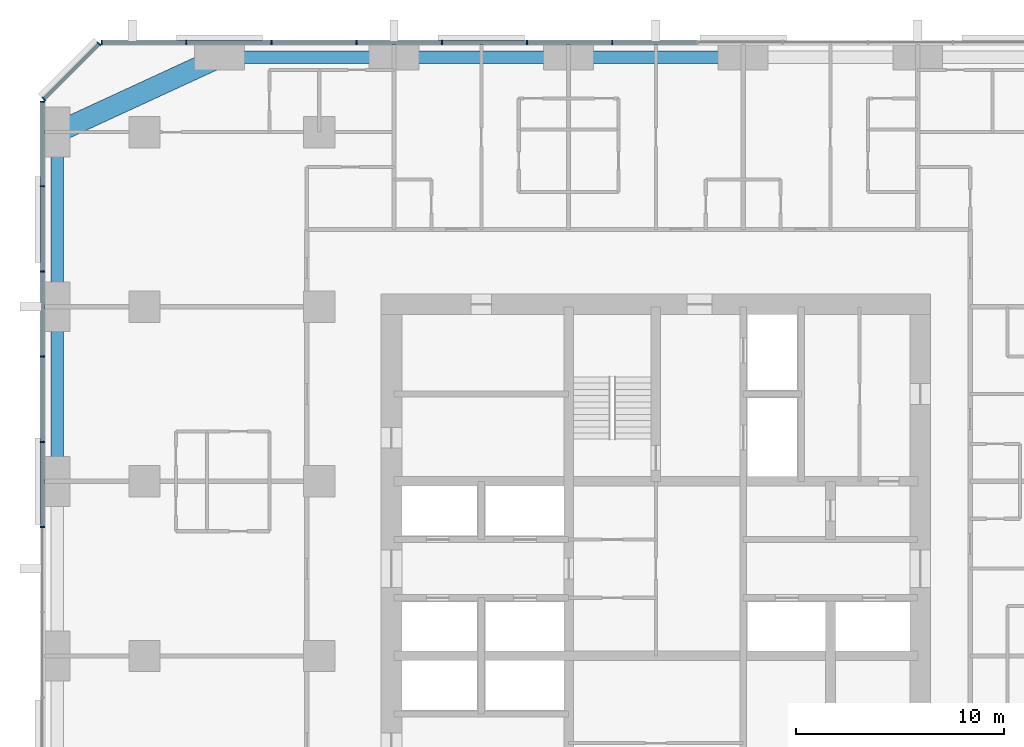
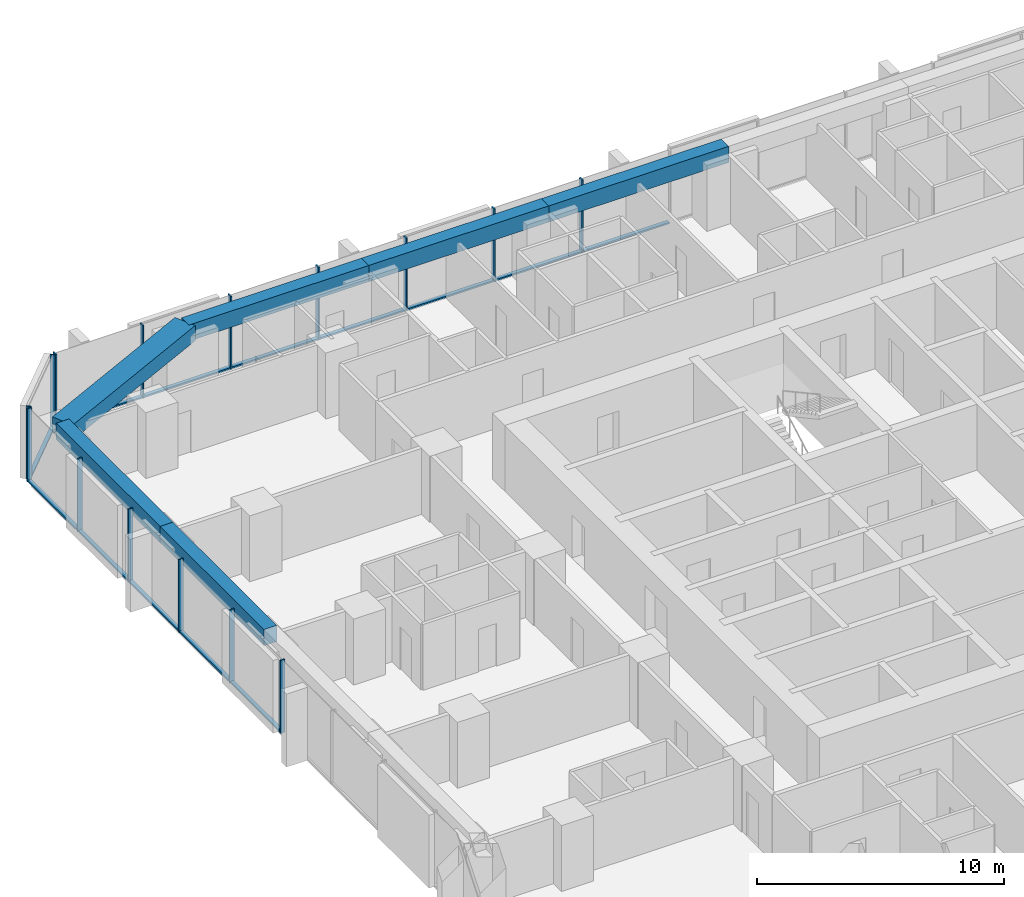
# One storey, part 5 of 14: 28 members, 6 beams, 3 elements without a shape of their own.
"""IFC4 building model written with IfcOpenShell, lengths in metres."""

from ifc_helpers import new_model, si_unit, direction, frame, origin, origin_2d, place, context, subcontext, project, spatial, rectangle, extrude, material, material_profile, profile_set, type_object, element, aggregate, save


model = new_model("IFC4")

# Units and contexts
model_context = context("Model", 3, precision=1e-05, world=origin(), true_north=direction((0.0, 1.0)))
body_context = subcontext(model_context, "Body", "Model", "MODEL_VIEW")
ifc_project = project(units=[si_unit("LENGTHUNIT", "METRE"), si_unit("AREAUNIT", "SQUARE_METRE"), si_unit("VOLUMEUNIT", "CUBIC_METRE"), si_unit("PLANEANGLEUNIT", "RADIAN"), si_unit("MASSUNIT", "GRAM", prefix="KILO")], contexts=[model_context])

# Site, building, storey
site_placement = place(None, origin())
site = spatial("IfcSite", under=ifc_project, at=site_placement, CompositionType="ELEMENT")
building_placement = place(site_placement, origin())
building = spatial("IfcBuilding", under=site, at=building_placement, Name="Dunama Terrace Hotel", CompositionType="ELEMENT")
storey_placement = place(building_placement, frame((0.0, 0.0, 129.60009765625)))
storey = spatial("IfcBuildingStorey", under=building, at=storey_placement, Name="L33", CompositionType="ELEMENT", Elevation=129.60009765625)

# Curtain wall, members
ifc_material_1 = material(Name="Aluminium curtain wall system", Category="aluminium")
curtain_wall_type = type_object("IfcCurtainWallType", Name="Unitised fritted glass wall CW-B", PredefinedType="NOTDEFINED", material=ifc_material_1)
curtain_wall_1_placement = place(storey_placement, origin())
curtain_wall_1 = element("IfcCurtainWall", 1, at=curtain_wall_1_placement, inside=storey, type_object=curtain_wall_type, Name="Unitised fritted glass wall CW-B L33", PredefinedType="NOTDEFINED")
ifc_material_2 = material(Name="Aluminium mullion", Category="aluminium")
ifc_material_profile_1 = material_profile(ifc_material_2, rectangle(XDim=0.06494140625, YDim=0.219970703125, at=origin_2d()), Name="CWB MULLION 65X220")
ifc_profile_set_1 = profile_set([ifc_material_profile_1], Name="Aluminium mullion")
member_type_1 = type_object("IfcMemberType", Name="CWB mullion 65x220", PredefinedType="MULLION", material=ifc_profile_set_1)
member_1_placement = place(storey_placement, frame((27.300048828125, 54.7099609375, 0.0), z_axis=(0.0, 0.0, 1.0), x_axis=(-1.0, 0.0, 0.0)))
member_1 = element("IfcMember", 2, at=member_1_placement, type_object=member_type_1, Name="CWB mullion", PredefinedType="MULLION", context=body_context, shape_type="SweptSolid", body=[
    extrude(rectangle(XDim=0.06494140625, YDim=0.219970703125, at=origin_2d()), origin(), (0.0, 0.0, 1.0), 3.599853515625),
])
member_2_placement = place(storey_placement, frame((23.199951171875, 54.7099609375, 0.0), z_axis=(0.0, 0.0, 1.0), x_axis=(-1.0, 0.0, 0.0)))
member_2 = element("IfcMember", 3, at=member_2_placement, type_object=member_type_1, Name="CWB mullion", PredefinedType="MULLION", context=body_context, shape_type="SweptSolid", body=[
    extrude(rectangle(XDim=0.06494140625, YDim=0.219970703125, at=origin_2d()), origin(), (0.0, 0.0, 1.0), 3.599853515625),
])
member_3_placement = place(storey_placement, frame((19.10009765625, 54.7099609375, 0.0), z_axis=(0.0, 0.0, 1.0), x_axis=(-1.0, 0.0, 0.0)))
member_3 = element("IfcMember", 4, at=member_3_placement, type_object=member_type_1, Name="CWB mullion", PredefinedType="MULLION", context=body_context, shape_type="SweptSolid", body=[
    extrude(rectangle(XDim=0.06494140625, YDim=0.219970703125, at=origin_2d()), origin(), (0.0, 0.0, 1.0), 3.599853515625),
])
member_4_placement = place(storey_placement, frame((15.0, 54.7099609375, 0.0), z_axis=(0.0, 0.0, 1.0), x_axis=(-1.0, 0.0, 0.0)))
member_4 = element("IfcMember", 5, at=member_4_placement, type_object=member_type_1, Name="CWB mullion", PredefinedType="MULLION", context=body_context, shape_type="SweptSolid", body=[
    extrude(rectangle(XDim=0.06494140625, YDim=0.219970703125, at=origin_2d()), origin(), (0.0, 0.0, 1.0), 3.599853515625),
])
member_5_placement = place(storey_placement, frame((10.89990234375, 54.7099609375, 0.0), z_axis=(0.0, 0.0, 1.0), x_axis=(-1.0, 0.0, 0.0)))
member_5 = element("IfcMember", 6, at=member_5_placement, type_object=member_type_1, Name="CWB mullion", PredefinedType="MULLION", context=body_context, shape_type="SweptSolid", body=[
    extrude(rectangle(XDim=0.06494140625, YDim=0.219970703125, at=origin_2d()), origin(), (0.0, 0.0, 1.0), 3.599853515625),
])
member_6_placement = place(storey_placement, frame((6.800048828125, 54.7099609375, 0.0), z_axis=(0.0, 0.0, 1.0), x_axis=(-1.0, 0.0, 0.0)))
member_6 = element("IfcMember", 7, at=member_6_placement, type_object=member_type_1, Name="CWB mullion", PredefinedType="MULLION", context=body_context, shape_type="SweptSolid", body=[
    extrude(rectangle(XDim=0.06494140625, YDim=0.219970703125, at=origin_2d()), origin(), (0.0, 0.0, 1.0), 3.599853515625),
])
member_7_placement = place(storey_placement, frame((2.73291015625, 54.7099609375, 0.0), z_axis=(0.0, 0.0, 1.0), x_axis=(-1.0, 0.0, 0.0)))
member_7 = element("IfcMember", 8, at=member_7_placement, type_object=member_type_1, Name="CWB mullion", PredefinedType="MULLION", context=body_context, shape_type="SweptSolid", body=[
    extrude(rectangle(XDim=0.06494140625, YDim=0.219970703125, at=origin_2d()), origin(), (0.0, 0.0, 1.0), 3.599853515625),
])

curtain_wall_2_placement = place(storey_placement, origin())
curtain_wall_2 = element("IfcCurtainWall", 9, at=curtain_wall_2_placement, inside=storey, type_object=curtain_wall_type, Name="Unitised fritted glass wall CW-B L33", PredefinedType="NOTDEFINED")
member_8_placement = place(storey_placement, frame((2.59912109375, 54.655029296875, 0.0), z_axis=(0.0, 0.0, 1.0), x_axis=(-0.707106781187, -0.707106781187, 0.0)))
member_8 = element("IfcMember", 10, at=member_8_placement, type_object=member_type_1, Name="CWB mullion", PredefinedType="MULLION", context=body_context, shape_type="SweptSolid", body=[
    extrude(rectangle(XDim=0.06494140625, YDim=0.219970703125, at=origin_2d()), origin(), (0.0, 0.0, 1.0), 3.599853515625),
])
member_9_placement = place(storey_placement, frame((-0.054931640625, 52.0009765625, 0.0), z_axis=(0.0, 0.0, 1.0), x_axis=(-0.707106781187, -0.707106781187, 0.0)))
member_9 = element("IfcMember", 11, at=member_9_placement, type_object=member_type_1, Name="CWB mullion", PredefinedType="MULLION", context=body_context, shape_type="SweptSolid", body=[
    extrude(rectangle(XDim=0.06494140625, YDim=0.219970703125, at=origin_2d()), origin(), (0.0, 0.0, 1.0), 3.599853515625),
])

curtain_wall_3_placement = place(storey_placement, origin())
curtain_wall_3 = element("IfcCurtainWall", 12, at=curtain_wall_3_placement, inside=storey, type_object=curtain_wall_type, Name="Unitised fritted glass wall CW-B L33", PredefinedType="NOTDEFINED")
member_10_placement = place(storey_placement, frame((-0.110107421875, 51.866943359375, 0.0), z_axis=(0.0, 0.0, 1.0), x_axis=(0.0, -1.0, 0.0)))
member_10 = element("IfcMember", 13, at=member_10_placement, type_object=member_type_1, Name="CWB mullion", PredefinedType="MULLION", context=body_context, shape_type="SweptSolid", body=[
    extrude(rectangle(XDim=0.06494140625, YDim=0.219970703125, at=origin_2d()), origin(), (0.0, 0.0, 1.0), 3.599853515625),
])
member_11_placement = place(storey_placement, frame((-0.110107421875, 47.800048828125, 0.0), z_axis=(0.0, 0.0, 1.0), x_axis=(0.0, -1.0, 0.0)))
member_11 = element("IfcMember", 14, at=member_11_placement, type_object=member_type_1, Name="CWB mullion", PredefinedType="MULLION", context=body_context, shape_type="SweptSolid", body=[
    extrude(rectangle(XDim=0.06494140625, YDim=0.219970703125, at=origin_2d()), origin(), (0.0, 0.0, 1.0), 3.599853515625),
])
member_12_placement = place(storey_placement, frame((-0.110107421875, 43.699951171875, 0.0), z_axis=(0.0, 0.0, 1.0), x_axis=(0.0, -1.0, 0.0)))
member_12 = element("IfcMember", 15, at=member_12_placement, type_object=member_type_1, Name="CWB mullion", PredefinedType="MULLION", context=body_context, shape_type="SweptSolid", body=[
    extrude(rectangle(XDim=0.06494140625, YDim=0.219970703125, at=origin_2d()), origin(), (0.0, 0.0, 1.0), 3.599853515625),
])
member_13_placement = place(storey_placement, frame((-0.110107421875, 39.60009765625, 0.0), z_axis=(0.0, 0.0, 1.0), x_axis=(0.0, -1.0, 0.0)))
member_13 = element("IfcMember", 16, at=member_13_placement, type_object=member_type_1, Name="CWB mullion", PredefinedType="MULLION", context=body_context, shape_type="SweptSolid", body=[
    extrude(rectangle(XDim=0.06494140625, YDim=0.219970703125, at=origin_2d()), origin(), (0.0, 0.0, 1.0), 3.599853515625),
])
member_14_placement = place(storey_placement, frame((-0.110107421875, 35.5, 0.0), z_axis=(0.0, 0.0, 1.0), x_axis=(0.0, -1.0, 0.0)))
member_14 = element("IfcMember", 17, at=member_14_placement, type_object=member_type_1, Name="CWB mullion", PredefinedType="MULLION", context=body_context, shape_type="SweptSolid", body=[
    extrude(rectangle(XDim=0.06494140625, YDim=0.219970703125, at=origin_2d()), origin(), (0.0, 0.0, 1.0), 3.599853515625),
])
member_15_placement = place(storey_placement, frame((-0.110107421875, 31.39990234375, 0.0), z_axis=(0.0, 0.0, 1.0), x_axis=(0.0, -1.0, 0.0)))
member_15 = element("IfcMember", 18, at=member_15_placement, type_object=member_type_1, Name="CWB mullion", PredefinedType="MULLION", context=body_context, shape_type="SweptSolid", body=[
    extrude(rectangle(XDim=0.06494140625, YDim=0.219970703125, at=origin_2d()), origin(), (0.0, 0.0, 1.0), 3.599853515625),
])

# Member
ifc_material_3 = material(Name="Aluminium transom", Category="aluminium")
ifc_material_profile_2 = material_profile(ifc_material_3, rectangle(XDim=0.179931640625, YDim=0.080078125, at=origin_2d()), Name="CWB TRANSOM 180X80")
ifc_profile_set_2 = profile_set([ifc_material_profile_2], Name="Aluminium transom")
member_type_2 = type_object("IfcMemberType", Name="CWB transom 180x80", PredefinedType="USERDEFINED", material=ifc_profile_set_2)
member_16_placement = place(storey_placement, frame((31.366943359375, 54.7099609375, 0.039794921875), z_axis=(-1.0, 0.0, 0.0), x_axis=(0.0, -1.0, 0.0)))
member_16 = element("IfcMember", 19, at=member_16_placement, type_object=member_type_2, Name="CWB transom", ObjectType="TRANSOM", PredefinedType="USERDEFINED", context=body_context, shape_type="SweptSolid", body=[
    extrude(rectangle(XDim=0.179931640625, YDim=0.080078125, at=origin_2d()), origin(), (0.0, 0.0, 1.0), 4.034912109375),
])

member_17_placement = place(storey_placement, frame((27.26806640625, 54.7099609375, 0.039794921875), z_axis=(-1.0, 0.0, 0.0), x_axis=(0.0, -1.0, 0.0)))
member_17 = element("IfcMember", 20, at=member_17_placement, type_object=member_type_2, Name="CWB transom", ObjectType="TRANSOM", PredefinedType="USERDEFINED", context=body_context, shape_type="SweptSolid", body=[
    extrude(rectangle(XDim=0.179931640625, YDim=0.080078125, at=origin_2d()), origin(), (0.0, 0.0, 1.0), 4.03515625),
])

member_18_placement = place(storey_placement, frame((23.16796875, 54.7099609375, 0.039794921875), z_axis=(-1.0, 0.0, 0.0), x_axis=(0.0, -1.0, 0.0)))
member_18 = element("IfcMember", 21, at=member_18_placement, type_object=member_type_2, Name="CWB transom", ObjectType="TRANSOM", PredefinedType="USERDEFINED", context=body_context, shape_type="SweptSolid", body=[
    extrude(rectangle(XDim=0.179931640625, YDim=0.080078125, at=origin_2d()), origin(), (0.0, 0.0, 1.0), 4.034912109375),
])

member_19_placement = place(storey_placement, frame((19.068115234375, 54.7099609375, 0.039794921875), z_axis=(-1.0, 0.0, 0.0), x_axis=(0.0, -1.0, 0.0)))
member_19 = element("IfcMember", 22, at=member_19_placement, type_object=member_type_2, Name="CWB transom", ObjectType="TRANSOM", PredefinedType="USERDEFINED", context=body_context, shape_type="SweptSolid", body=[
    extrude(rectangle(XDim=0.179931640625, YDim=0.080078125, at=origin_2d()), origin(), (0.0, 0.0, 1.0), 4.0361328125),
])

member_20_placement = place(storey_placement, frame((14.968017578125, 54.7099609375, 0.039794921875), z_axis=(-1.0, 0.0, 0.0), x_axis=(0.0, -1.0, 0.0)))
member_20 = element("IfcMember", 23, at=member_20_placement, type_object=member_type_2, Name="CWB transom", ObjectType="TRANSOM", PredefinedType="USERDEFINED", context=body_context, shape_type="SweptSolid", body=[
    extrude(rectangle(XDim=0.179931640625, YDim=0.080078125, at=origin_2d()), origin(), (0.0, 0.0, 1.0), 4.0361328125),
])

member_21_placement = place(storey_placement, frame((10.866943359375, 54.7099609375, 0.039794921875), z_axis=(-1.0, 0.0, 0.0), x_axis=(0.0, -1.0, 0.0)))
member_21 = element("IfcMember", 24, at=member_21_placement, type_object=member_type_2, Name="CWB transom", ObjectType="TRANSOM", PredefinedType="USERDEFINED", context=body_context, shape_type="SweptSolid", body=[
    extrude(rectangle(XDim=0.179931640625, YDim=0.080078125, at=origin_2d()), origin(), (0.0, 0.0, 1.0), 4.033935546875),
])

member_22_placement = place(storey_placement, frame((6.76806640625, 54.7099609375, 0.039794921875), z_axis=(-1.0, 0.0, 0.0), x_axis=(0.0, -1.0, 0.0)))
member_22 = element("IfcMember", 25, at=member_22_placement, type_object=member_type_2, Name="CWB transom", ObjectType="TRANSOM", PredefinedType="USERDEFINED", context=body_context, shape_type="SweptSolid", body=[
    extrude(rectangle(XDim=0.179931640625, YDim=0.080078125, at=origin_2d()), origin(), (0.0, 0.0, 1.0), 4.003173828125),
])

aggregate(curtain_wall_1, [member_1, member_2, member_3, member_4, member_5, member_6, member_7, member_16, member_17, member_18, member_19, member_20, member_21, member_22])

member_23_placement = place(storey_placement, frame((2.575927734375, 54.632080078125, 0.039794921875), z_axis=(-0.707073683909, -0.707139876915, 0.0), x_axis=(0.707139876915, -0.707073683909, 0.0)))
member_23 = element("IfcMember", 26, at=member_23_placement, type_object=member_type_2, Name="CWB transom", ObjectType="TRANSOM", PredefinedType="USERDEFINED", context=body_context, shape_type="SweptSolid", body=[
    extrude(rectangle(XDim=0.179931640625, YDim=0.080078125, at=origin_2d()), origin(), (0.0, 0.0, 1.0), 3.688232421875),
])

aggregate(curtain_wall_2, [member_8, member_9, member_23])

member_24_placement = place(storey_placement, frame((-0.110107421875, 51.8349609375, 0.039794921875), z_axis=(0.0, -1.0, 0.0), x_axis=(1.0, 0.0, 0.0)))
member_24 = element("IfcMember", 27, at=member_24_placement, type_object=member_type_2, Name="CWB transom", ObjectType="TRANSOM", PredefinedType="USERDEFINED", context=body_context, shape_type="SweptSolid", body=[
    extrude(rectangle(XDim=0.179931640625, YDim=0.080078125, at=origin_2d()), origin(), (0.0, 0.0, 1.0), 4.0029296875),
])

member_25_placement = place(storey_placement, frame((-0.110107421875, 47.76708984375, 0.039794921875), z_axis=(0.0, -1.0, 0.0), x_axis=(1.0, 0.0, 0.0)))
member_25 = element("IfcMember", 28, at=member_25_placement, type_object=member_type_2, Name="CWB transom", ObjectType="TRANSOM", PredefinedType="USERDEFINED", context=body_context, shape_type="SweptSolid", body=[
    extrude(rectangle(XDim=0.179931640625, YDim=0.080078125, at=origin_2d()), origin(), (0.0, 0.0, 1.0), 4.0341796875),
])

member_26_placement = place(storey_placement, frame((-0.110107421875, 43.6669921875, 0.039794921875), z_axis=(0.0, -1.0, 0.0), x_axis=(1.0, 0.0, 0.0)))
member_26 = element("IfcMember", 29, at=member_26_placement, type_object=member_type_2, Name="CWB transom", ObjectType="TRANSOM", PredefinedType="USERDEFINED", context=body_context, shape_type="SweptSolid", body=[
    extrude(rectangle(XDim=0.179931640625, YDim=0.080078125, at=origin_2d()), origin(), (0.0, 0.0, 1.0), 4.033935546875),
])

member_27_placement = place(storey_placement, frame((-0.110107421875, 39.56689453125, 0.039794921875), z_axis=(0.0, -1.0, 0.0), x_axis=(1.0, 0.0, 0.0)))
member_27 = element("IfcMember", 30, at=member_27_placement, type_object=member_type_2, Name="CWB transom", ObjectType="TRANSOM", PredefinedType="USERDEFINED", context=body_context, shape_type="SweptSolid", body=[
    extrude(rectangle(XDim=0.179931640625, YDim=0.080078125, at=origin_2d()), origin(), (0.0, 0.0, 1.0), 4.034912109375),
])

member_28_placement = place(storey_placement, frame((-0.110107421875, 35.468017578125, 0.039794921875), z_axis=(0.0, -1.0, 0.0), x_axis=(1.0, 0.0, 0.0)))
member_28 = element("IfcMember", 31, at=member_28_placement, type_object=member_type_2, Name="CWB transom", ObjectType="TRANSOM", PredefinedType="USERDEFINED", context=body_context, shape_type="SweptSolid", body=[
    extrude(rectangle(XDim=0.179931640625, YDim=0.080078125, at=origin_2d()), origin(), (0.0, 0.0, 1.0), 4.0361328125),
])

aggregate(curtain_wall_3, [member_10, member_11, member_12, member_13, member_14, member_15, member_24, member_25, member_26, member_27, member_28])

# Beams
ifc_material_4 = material(Name="Concrete C50/60", Category="concrete")
ifc_material_profile_3 = material_profile(ifc_material_4, rectangle(XDim=1.0, YDim=0.75, at=origin_2d()), Name="RC 1000x750")
ifc_profile_set_3 = profile_set([ifc_material_profile_3], Name="Concrete C50/60")
beam_type_1 = type_object("IfcBeamType", Name="Edge beam RC 1000x750", PredefinedType="SPANDREL", material=ifc_profile_set_3)
beam_1_placement = place(storey_placement, frame((8.39990234375, 54.0, 3.224853515625), z_axis=(-0.907951066374, -0.419076199598, 0.0), x_axis=(0.419076199598, -0.907951066374, 0.0)))
element("IfcBeam", 32, at=beam_1_placement, inside=storey, type_object=beam_type_1, Name="Corner edge beam under L34", PredefinedType="SPANDREL", context=body_context, shape_type="SweptSolid", body=[
    extrude(rectangle(XDim=1.0, YDim=0.75, at=origin_2d()), origin(), (0.0, 0.0, 1.0), 8.590576171875),
])
ifc_material_5 = material(Name="Concrete C40/50", Category="concrete")
ifc_material_profile_4 = material_profile(ifc_material_5, rectangle(XDim=0.60009765625, YDim=0.800048828125, at=origin_2d()), Name="RC 600x800")
ifc_profile_set_4 = profile_set([ifc_material_profile_4], Name="Concrete C40/50")
beam_type_2 = type_object("IfcBeamType", Name="Edge beam RC 600x800", PredefinedType="SPANDREL", material=ifc_profile_set_4)
for number, where, z_axis, x_axis, name in (
    (33, (0.60009765625, 33.60009765625, 3.199951171875), (0.0, 1.0, 0.0), (-1.0, 0.0, 0.0), "Edge beam under L34"),
    (34, (0.60009765625, 42.0, 3.199951171875), (0.0, 1.0, 0.0), (-1.0, 0.0, 0.0), "Edge beam under L34"),
):
    element("IfcBeam", number, at=place(storey_placement, frame(where, z_axis=z_axis, x_axis=x_axis)), inside=storey, type_object=beam_type_2, Name=name, PredefinedType="SPANDREL", context=body_context, shape_type="SweptSolid", body=[
        extrude(rectangle(XDim=0.60009765625, YDim=0.800048828125, at=origin_2d()), origin(), (0.0, 0.0, 1.0), 8.39990234375),
    ])
beam_2_placement = place(storey_placement, frame((8.39990234375, 54.0, 3.199951171875), z_axis=(1.0, 0.0, 0.0), x_axis=(0.0, 1.0, 0.0)))
element("IfcBeam", 35, at=beam_2_placement, inside=storey, type_object=beam_type_2, Name="Edge beam under L34", PredefinedType="SPANDREL", context=body_context, shape_type="SweptSolid", body=[
    extrude(rectangle(XDim=0.60009765625, YDim=0.800048828125, at=origin_2d()), origin(), (0.0, 0.0, 1.0), 8.400146484375),
])
beam_3_placement = place(storey_placement, frame((16.800048828125, 54.0, 3.199951171875), z_axis=(1.0, 0.0, 0.0), x_axis=(0.0, 1.0, 0.0)))
element("IfcBeam", 36, at=beam_3_placement, inside=storey, type_object=beam_type_2, Name="Edge beam under L34", PredefinedType="SPANDREL", context=body_context, shape_type="SweptSolid", body=[
    extrude(rectangle(XDim=0.60009765625, YDim=0.800048828125, at=origin_2d()), origin(), (0.0, 0.0, 1.0), 8.39990234375),
])
beam_4_placement = place(storey_placement, frame((25.199951171875, 54.0, 3.199951171875), z_axis=(1.0, 0.0, 0.0), x_axis=(0.0, 1.0, 0.0)))
element("IfcBeam", 37, at=beam_4_placement, inside=storey, type_object=beam_type_2, Name="Edge beam under L34", PredefinedType="SPANDREL", context=body_context, shape_type="SweptSolid", body=[
    extrude(rectangle(XDim=0.60009765625, YDim=0.800048828125, at=origin_2d()), origin(), (0.0, 0.0, 1.0), 8.400146484375),
])

save(model, "model.ifc")
